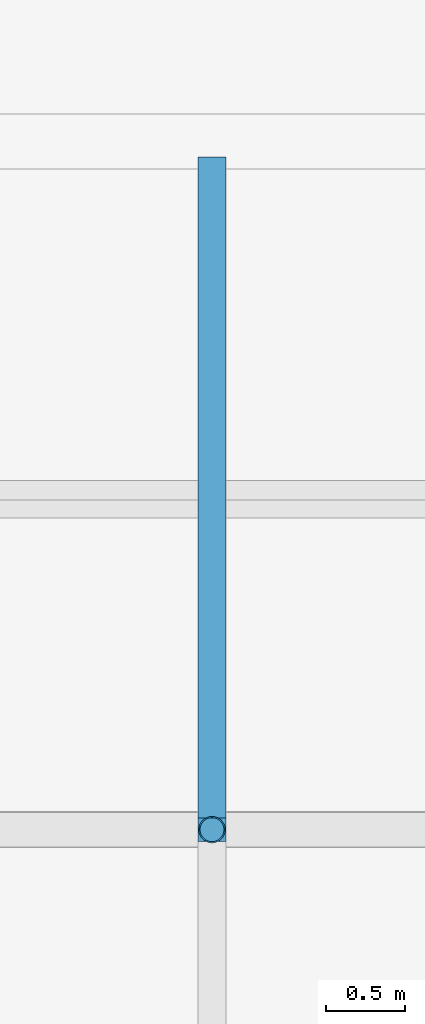
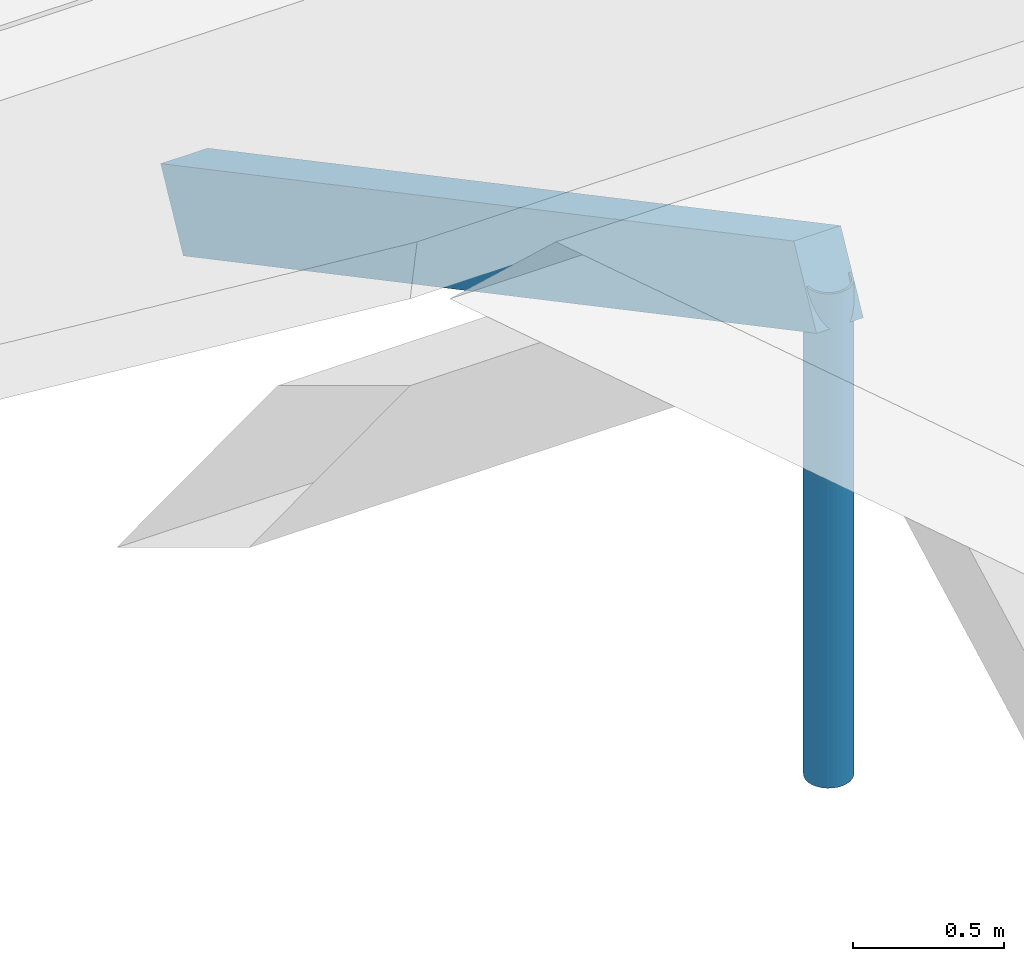
# One storey, part 35 of 82: 2 members.
"""IFC4 building model written with IfcOpenShell, lengths in metres."""

from ifc_helpers import new_model, si_unit, direction, frame, origin, origin_2d, place, context, subcontext, project, spatial, rectangle, hollow_circle, extrude, material, material_profile, profile_set, type_object, element, save


model = new_model("IFC4")

# Units and contexts
model_context = context("Model", 3, precision=1e-05, world=origin(), true_north=direction((0.0, 1.0)))
body_context = subcontext(model_context, "Body", "Model", "MODEL_VIEW")
ifc_project = project(units=[si_unit("LENGTHUNIT", "METRE"), si_unit("AREAUNIT", "SQUARE_METRE"), si_unit("VOLUMEUNIT", "CUBIC_METRE"), si_unit("PLANEANGLEUNIT", "RADIAN"), si_unit("MASSUNIT", "GRAM", prefix="KILO")], contexts=[model_context])

# Site, building, storey
site_placement = place(None, origin())
site = spatial("IfcSite", under=ifc_project, at=site_placement, CompositionType="ELEMENT")
building_placement = place(site_placement, origin())
building = spatial("IfcBuilding", under=site, at=building_placement, Name="Bramfleet General Hospital", CompositionType="ELEMENT")
storey_placement = place(building_placement, frame((0.0, 0.0, 34.199951171875)))
storey = spatial("IfcBuildingStorey", under=building, at=storey_placement, Name="Roof", CompositionType="ELEMENT", Elevation=34.199951171875)

# Members
ifc_material_1 = material(Name="Structural timber GL28h", Category="wood")
ifc_material_profile_1 = material_profile(ifc_material_1, rectangle(XDim=0.179931640625, YDim=0.320068359375, at=origin_2d()), Name="GL28h 320x180")
ifc_profile_set_1 = profile_set([ifc_material_profile_1], Name="Structural timber GL28h")
member_type_1 = type_object("IfcMemberType", Name="MEM-RF-GL320", PredefinedType="RAFTER", material=ifc_profile_set_1)
member_1_placement = place(storey_placement, frame((100.800048828125, 37.800048828125, 1.561279296875), z_axis=(0.0, 0.882947536541, -0.469471668705), x_axis=(-1.0, 0.0, 0.0)))
element("IfcMember", 1, at=member_1_placement, inside=storey, type_object=member_type_1, Name="Patient House PH-10 North Glulam Rafter 1", PredefinedType="RAFTER", context=body_context, shape_type="SweptSolid", body=[
    extrude(rectangle(XDim=0.179931640625, YDim=0.320068359375, at=origin_2d()), origin(), (0.0, 0.0, 1.0), 4.7568359375),
])
ifc_material_2 = material(Name="Steel S355", Category="steel")
ifc_material_profile_2 = material_profile(ifc_material_2, hollow_circle(Radius=0.084228515625, WallThickness=0.008056640625, at=origin_2d()), Name="CHS 168.3x8.0")
ifc_profile_set_2 = profile_set([ifc_material_profile_2], Name="Steel S355")
member_type_2 = type_object("IfcMemberType", Name="MEM-SF-DG1", PredefinedType="STRUT", material=ifc_profile_set_2)
member_2_placement = place(storey_placement, frame((100.800048828125, 37.800048828125, -0.43994140625), z_axis=(0.0, 0.0, 1.0), x_axis=(1.0, 0.0, 0.0)))
element("IfcMember", 2, at=member_2_placement, inside=storey, type_object=member_type_2, Name="Patient House PH-10 Ridge Timber Post 1", PredefinedType="STRUT", context=body_context, shape_type="SweptSolid", body=[
    extrude(hollow_circle(Radius=0.084228515625, WallThickness=0.008056640625, at=origin_2d()), origin(), (0.0, 0.0, 1.0), 2.001220703125),
])

save(model, "model.ifc")
